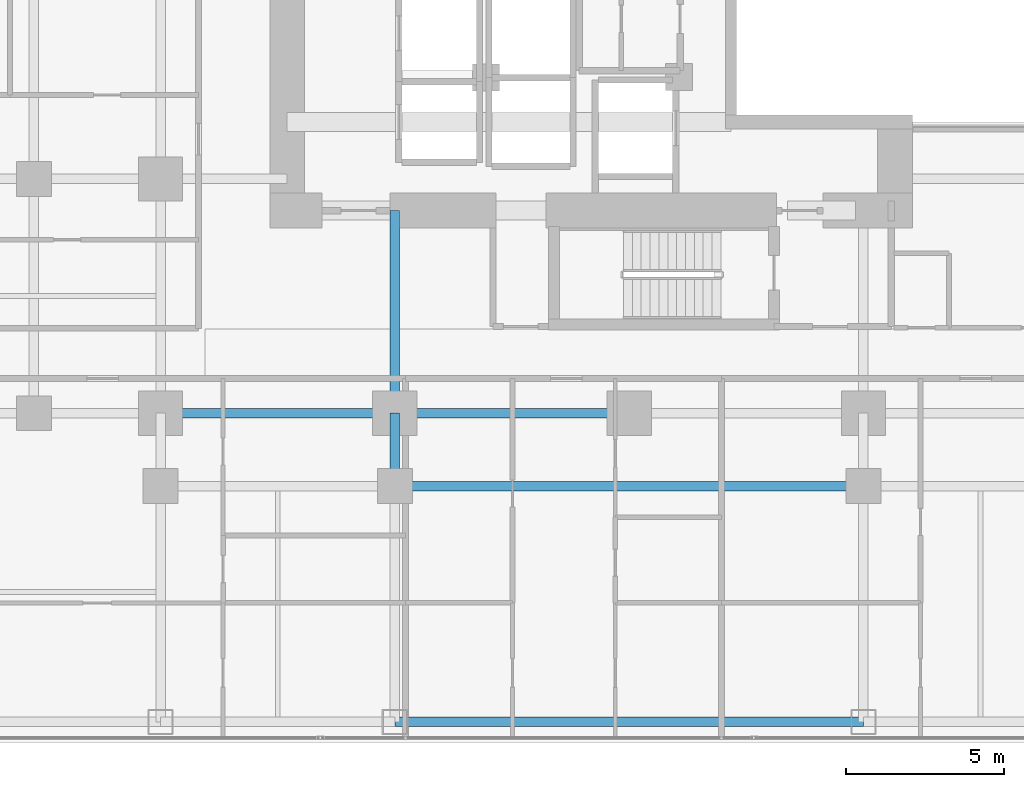
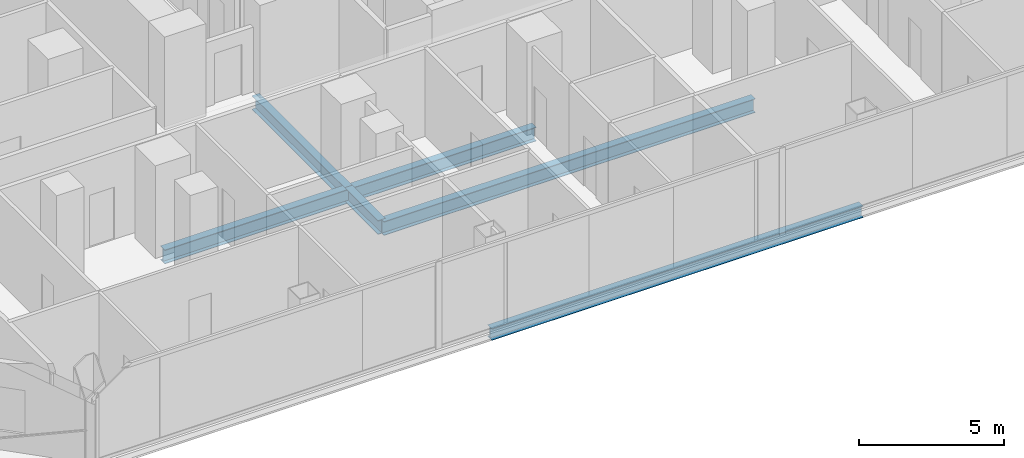
# One storey, part 5 of 29: 6 beams.
"""IFC4 building model written with IfcOpenShell, lengths in metres."""

from ifc_helpers import new_model, si_unit, direction, frame, origin, origin_2d, place, context, subcontext, project, spatial, i_section, extrude, material, material_profile, profile_set, type_object, element, save


model = new_model("IFC4")

# Units and contexts
model_context = context("Model", 3, precision=1e-05, world=origin(), true_north=direction((0.0, 1.0)))
body_context = subcontext(model_context, "Body", "Model", "MODEL_VIEW")
ifc_project = project(units=[si_unit("LENGTHUNIT", "METRE"), si_unit("AREAUNIT", "SQUARE_METRE"), si_unit("VOLUMEUNIT", "CUBIC_METRE"), si_unit("PLANEANGLEUNIT", "RADIAN"), si_unit("MASSUNIT", "GRAM", prefix="KILO")], contexts=[model_context])

# Site, building, storey
site_placement = place(None, origin())
site = spatial("IfcSite", under=ifc_project, at=site_placement, CompositionType="ELEMENT")
building_placement = place(site_placement, origin())
building = spatial("IfcBuilding", under=site, at=building_placement, Name="Khorvyn Point Tower", CompositionType="ELEMENT")
storey_placement = place(building_placement, frame((0.0, 0.0, 69.60009765625)))
storey = spatial("IfcBuildingStorey", under=building, at=storey_placement, Name="L18", CompositionType="ELEMENT", Elevation=69.60009765625)

# Beams
ifc_material = material(Name="Steel S355", Category="steel")
ifc_material_profile_1 = material_profile(ifc_material, i_section(OverallWidth=0.300048828125, OverallDepth=0.587890625, WebThickness=0.011962890625, FlangeThickness=0.02001953125, at=origin_2d()))
ifc_profile_set_1 = profile_set([ifc_material_profile_1], Name="Steel S355 H588x300x12x20")
beam_type_1 = type_object("IfcBeamType", Name="Steel S355 Beam H588x300x12x20", PredefinedType="BEAM", material=ifc_profile_set_1)
beam_1_placement = place(storey_placement, frame((-14.800048828125, -14.800048828125, -0.51416015625), z_axis=(1.0, 0.0, 0.0), x_axis=(0.0, 1.0, 0.0)))
element("IfcBeam", 1, at=beam_1_placement, inside=storey, type_object=beam_type_1, Name="Beam", PredefinedType="BEAM", context=body_context, shape_type="SweptSolid", body=[
    extrude(i_section(OverallWidth=0.300048828125, OverallDepth=0.587890625, WebThickness=0.011962890625, FlangeThickness=0.02001953125, at=origin_2d()), origin(), (0.0, 0.0, 1.0), 7.400146484375),
])
beam_2_placement = place(storey_placement, frame((-7.39990234375, -14.800048828125, -0.51416015625), z_axis=(1.0, 0.0, 0.0), x_axis=(0.0, 1.0, 0.0)))
element("IfcBeam", 2, at=beam_2_placement, inside=storey, type_object=beam_type_1, Name="Beam", PredefinedType="BEAM", context=body_context, shape_type="SweptSolid", body=[
    extrude(i_section(OverallWidth=0.300048828125, OverallDepth=0.587890625, WebThickness=0.011962890625, FlangeThickness=0.02001953125, at=origin_2d()), origin(), (0.0, 0.0, 1.0), 7.39990234375),
])
beam_3_placement = place(storey_placement, frame((-7.39990234375, -17.10009765625, -0.51416015625), z_axis=(1.0, 0.0, 0.0), x_axis=(0.0, 1.0, 0.0)))
element("IfcBeam", 3, at=beam_3_placement, inside=storey, type_object=beam_type_1, Name="Beam", PredefinedType="BEAM", context=body_context, shape_type="SweptSolid", body=[
    extrude(i_section(OverallWidth=0.300048828125, OverallDepth=0.587890625, WebThickness=0.011962890625, FlangeThickness=0.02001953125, at=origin_2d()), origin(), (0.0, 0.0, 1.0), 14.7998046875),
])
beam_4_placement = place(storey_placement, frame((-7.39990234375, -17.10009765625, -0.51416015625), z_axis=(0.0, 1.0, 0.0), x_axis=(-1.0, 0.0, 0.0)))
element("IfcBeam", 4, at=beam_4_placement, inside=storey, type_object=beam_type_1, Name="Beam", PredefinedType="BEAM", context=body_context, shape_type="SweptSolid", body=[
    extrude(i_section(OverallWidth=0.300048828125, OverallDepth=0.587890625, WebThickness=0.011962890625, FlangeThickness=0.02001953125, at=origin_2d()), origin(), (0.0, 0.0, 1.0), 2.300048828125),
])
beam_5_placement = place(storey_placement, frame((-7.39990234375, -14.800048828125, -0.51416015625), z_axis=(0.0, 1.0, 0.0), x_axis=(-1.0, 0.0, 0.0)))
element("IfcBeam", 5, at=beam_5_placement, inside=storey, type_object=beam_type_1, Name="Beam", PredefinedType="BEAM", context=body_context, shape_type="SweptSolid", body=[
    extrude(i_section(OverallWidth=0.300048828125, OverallDepth=0.587890625, WebThickness=0.011962890625, FlangeThickness=0.02001953125, at=origin_2d()), origin(), (0.0, 0.0, 1.0), 6.400146484375),
])
ifc_material_profile_2 = material_profile(ifc_material, i_section(OverallWidth=0.300048828125, OverallDepth=0.488037109375, WebThickness=0.010986328125, FlangeThickness=0.01806640625, at=origin_2d()))
ifc_profile_set_2 = profile_set([ifc_material_profile_2], Name="Steel S355 H488x300x11x18")
beam_type_2 = type_object("IfcBeamType", Name="Steel S355 Spandrel H488x300x11x18", PredefinedType="SPANDREL", material=ifc_profile_set_2)
beam_6_placement = place(storey_placement, frame((-7.39990234375, -24.550048828125, -0.464111328125), z_axis=(1.0, 0.0, 0.0), x_axis=(0.0, 1.0, 0.0)))
element("IfcBeam", 6, at=beam_6_placement, inside=storey, type_object=beam_type_2, Name="Beam", PredefinedType="SPANDREL", context=body_context, shape_type="SweptSolid", body=[
    extrude(i_section(OverallWidth=0.300048828125, OverallDepth=0.488037109375, WebThickness=0.010986328125, FlangeThickness=0.01806640625, at=origin_2d()), origin(), (0.0, 0.0, 1.0), 14.7998046875),
])

save(model, "model.ifc")
